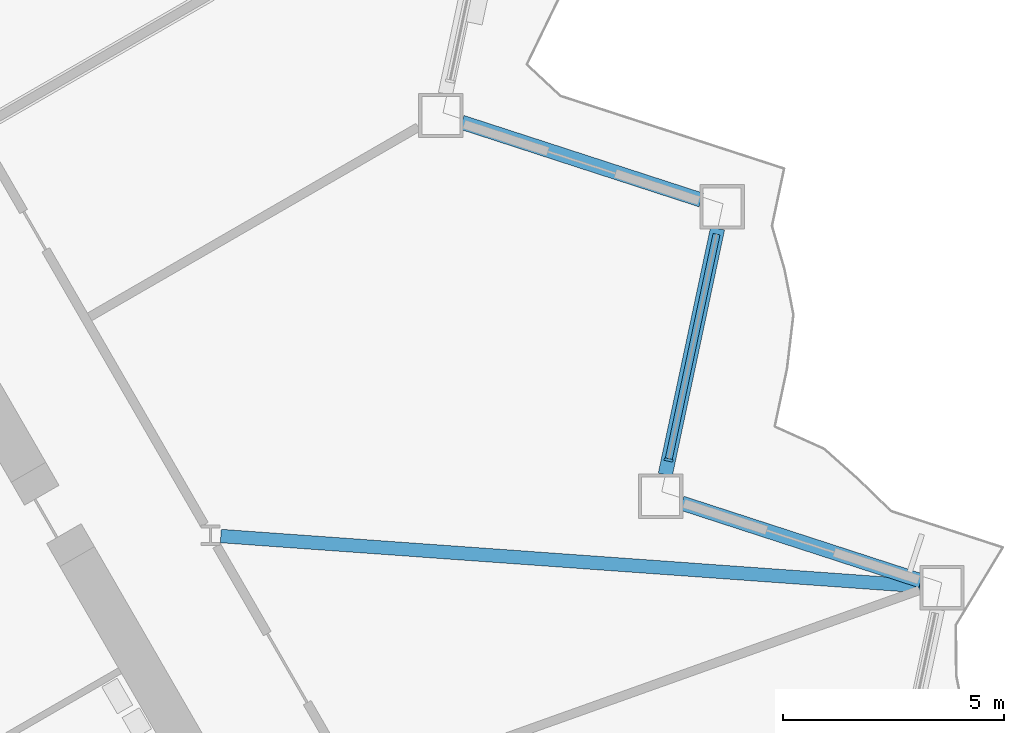
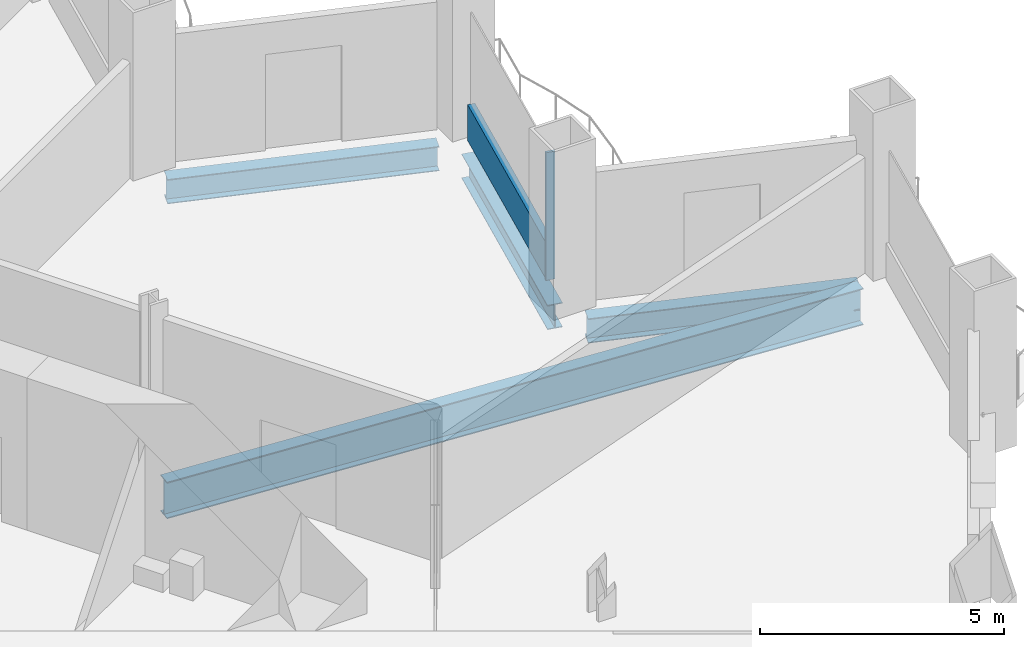
# One storey, part 5 of 21: 4 beams, 2 members, 1 element without a shape of its own.
"""IFC4 building model written with IfcOpenShell, lengths in metres."""

from ifc_helpers import new_model, si_unit, direction, frame, origin, origin_2d, place, context, subcontext, project, spatial, rectangle, i_section, extrude, material, layer, layer_set, material_profile, profile_set, type_object, element, aggregate, save


model = new_model("IFC4")

# Units and contexts
model_context = context("Model", 3, precision=1e-05, world=origin(), true_north=direction((0.0, 1.0)))
body_context = subcontext(model_context, "Body", "Model", "MODEL_VIEW")
ifc_project = project(units=[si_unit("LENGTHUNIT", "METRE"), si_unit("AREAUNIT", "SQUARE_METRE"), si_unit("VOLUMEUNIT", "CUBIC_METRE"), si_unit("PLANEANGLEUNIT", "RADIAN"), si_unit("MASSUNIT", "GRAM", prefix="KILO")], contexts=[model_context])

# Site, building, storey
site_placement = place(None, origin())
site = spatial("IfcSite", under=ifc_project, at=site_placement, CompositionType="ELEMENT")
building_placement = place(site_placement, origin())
building = spatial("IfcBuilding", under=site, at=building_placement, Name="Cormorant Prow Tower", CompositionType="ELEMENT")
storey_placement = place(building_placement, frame((0.0, 0.0, 80.39990234375)))
storey = spatial("IfcBuildingStorey", under=building, at=storey_placement, Name="L17", CompositionType="ELEMENT", Elevation=80.39990234375)

# Curtain wall, members
ifc_material_1 = material(Name="Aluminium 6063-T6", Category="aluminium")
ifc_layer = layer(ifc_material_1, 0.199951171875)
ifc_layer_set = layer_set([ifc_layer], Name="Aluminium 6063-T6")
curtain_wall_type = type_object("IfcCurtainWallType", Name="Office unitised curtain wall 200", PredefinedType="NOTDEFINED", material=ifc_layer_set)
curtain_wall_placement = place(storey_placement, origin())
curtain_wall = element("IfcCurtainWall", 1, at=curtain_wall_placement, inside=storey, type_object=curtain_wall_type, Name="Office curtain wall ENE02", PredefinedType="NOTDEFINED")
ifc_material_2 = material(Name="Aluminium 6063-T6", Category="aluminium")
ifc_material_profile_1 = material_profile(ifc_material_2, rectangle(XDim=0.199951171875, YDim=0.06005859375, at=origin_2d()), Name="Office mullion 60x200")
ifc_profile_set_1 = profile_set([ifc_material_profile_1], Name="Aluminium 6063-T6")
member_type_1 = type_object("IfcMemberType", Name="Office mullion 60x200", PredefinedType="MULLION", material=ifc_profile_set_1)
member_1_placement = place(storey_placement, frame((26.2119140625, -1.3515625, 0.0), z_axis=(0.0, 0.0, 1.0), x_axis=(-0.978147624611, 0.207911578485, 0.0)))
member_1 = element("IfcMember", 2, at=member_1_placement, type_object=member_type_1, Name="Office mullion ENE02", PredefinedType="MULLION", context=body_context, shape_type="SweptSolid", body=[
    extrude(rectangle(XDim=0.199951171875, YDim=0.06005859375, at=origin_2d()), origin(), (0.0, 0.0, 1.0), 3.18896484375),
])
ifc_material_3 = material(Name="Terracotta", Category="masonry")
ifc_material_profile_2 = material_profile(ifc_material_3, rectangle(XDim=0.159912109375, YDim=0.89990234375, at=origin_2d()), Name="Office terracotta spandrel rail 160x900")
ifc_profile_set_2 = profile_set([ifc_material_profile_2], Name="Terracotta")
member_type_2 = type_object("IfcMemberType", Name="Office terracotta spandrel rail 160x900", PredefinedType="USERDEFINED", material=ifc_profile_set_2)
member_2_placement = place(storey_placement, frame((26.21826171875, -1.322265625, 0.4501953125), z_axis=(0.207916794686, 0.978146515859, 0.0), x_axis=(-0.978146515859, 0.207916794686, 0.0)))
member_2 = element("IfcMember", 3, at=member_2_placement, type_object=member_type_2, Name="Office spandrel rail ENE02", ObjectType="TRANSOM", PredefinedType="USERDEFINED", context=body_context, shape_type="SweptSolid", body=[
    extrude(rectangle(XDim=0.159912109375, YDim=0.89990234375, at=origin_2d()), origin(), (0.0, 0.0, 1.0), 5.181884765625),
])
aggregate(curtain_wall, [member_1, member_2])

# Beams
ifc_material_4 = material(Name="Structural steel ASTM A992 Gr 50", Category="steel")
ifc_material_profile_3 = material_profile(ifc_material_4, i_section(OverallWidth=0.3046875, OverallDepth=0.914794921875, WebThickness=0.0166015625, FlangeThickness=0.02587890625, at=origin_2d()), Name="W36x160")
ifc_profile_set_3 = profile_set([ifc_material_profile_3], Name="Structural steel ASTM A992 Gr 50")
beam_type_1 = type_object("IfcBeamType", Name="Radial floor beam W36x160", PredefinedType="BEAM", material=ifc_profile_set_3)
beam_1_placement = place(storey_placement, frame((16.099365234375, -3.0703125, -0.857177734375), z_axis=(0.997443412532, -0.071460750045, 0.0), x_axis=(0.071460750045, 0.997443412532, 0.0)))
element("IfcBeam", 4, at=beam_1_placement, inside=storey, type_object=beam_type_1, Name="Radial floor beam FB1 10 L17", PredefinedType="BEAM", context=body_context, shape_type="SweptSolid", body=[
    extrude(i_section(OverallWidth=0.3046875, OverallDepth=0.914794921875, WebThickness=0.0166015625, FlangeThickness=0.02587890625, at=origin_2d()), origin(), (0.0, 0.0, 1.0), 15.831787109375),
])
ifc_material_5 = material(Name="Structural steel ASTM A992 Gr 50", Category="steel")
ifc_material_profile_4 = material_profile(ifc_material_5, i_section(OverallWidth=0.32373046875, OverallDepth=0.611083984375, WebThickness=0.0126953125, FlangeThickness=0.01904296875, at=origin_2d()), Name="W24x104")
ifc_profile_set_4 = profile_set([ifc_material_profile_4], Name="Structural steel ASTM A992 Gr 50")
beam_type_2 = type_object("IfcBeamType", Name="Spandrel beam W24x104", PredefinedType="SPANDREL", material=ifc_profile_set_4)
beam_2_placement = place(storey_placement, frame((31.913818359375, -4.082763671875, -0.70556640625), z_axis=(-0.951049222751, 0.309039440696, 0.0), x_axis=(-0.309039440696, -0.951049222751, 0.0)))
element("IfcBeam", 5, at=beam_2_placement, inside=storey, type_object=beam_type_2, Name="Spandrel beam SB1 ENE01-ENE02 L17", PredefinedType="SPANDREL", context=body_context, shape_type="SweptSolid", body=[
    extrude(i_section(OverallWidth=0.32373046875, OverallDepth=0.611083984375, WebThickness=0.0126953125, FlangeThickness=0.01904296875, at=origin_2d()), origin(), (0.0, 0.0, 1.0), 5.682373046875),
])
beam_3_placement = place(storey_placement, frame((26.137939453125, -1.68310546875, -0.70556640625), z_axis=(0.207900376723, 0.97815000555, 0.0), x_axis=(-0.97815000555, 0.207900376723, 0.0)))
element("IfcBeam", 6, at=beam_3_placement, inside=storey, type_object=beam_type_2, Name="Spandrel beam SB1 ENE02-ENE03 L17", PredefinedType="SPANDREL", context=body_context, shape_type="SweptSolid", body=[
    extrude(i_section(OverallWidth=0.32373046875, OverallDepth=0.611083984375, WebThickness=0.0126953125, FlangeThickness=0.01904296875, at=origin_2d()), origin(), (0.0, 0.0, 1.0), 5.6826171875),
])
beam_4_placement = place(storey_placement, frame((26.94775390625, 4.518798828125, -0.70556640625), z_axis=(-0.951061849722, 0.309000579292, 0.0), x_axis=(-0.309000579292, -0.951061849722, 0.0)))
element("IfcBeam", 7, at=beam_4_placement, inside=storey, type_object=beam_type_2, Name="Spandrel beam SB1 ENE03-ENE04 L17", PredefinedType="SPANDREL", context=body_context, shape_type="SweptSolid", body=[
    extrude(i_section(OverallWidth=0.32373046875, OverallDepth=0.611083984375, WebThickness=0.0126953125, FlangeThickness=0.01904296875, at=origin_2d()), origin(), (0.0, 0.0, 1.0), 5.682373046875),
])

save(model, "model.ifc")
